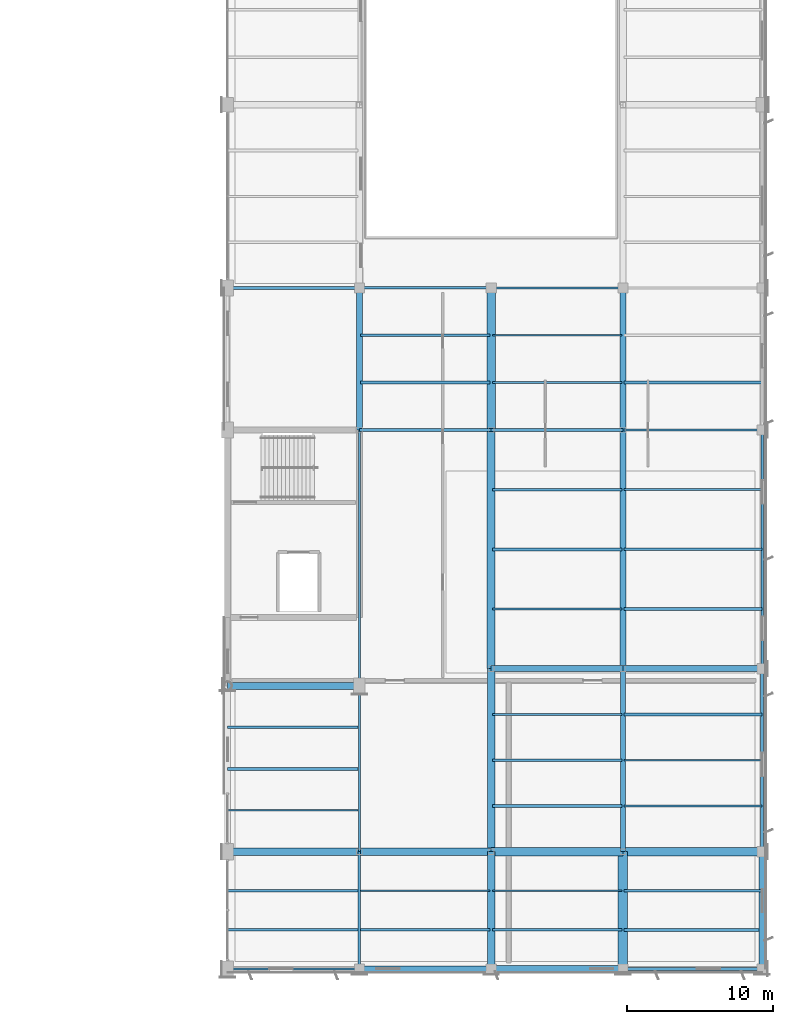
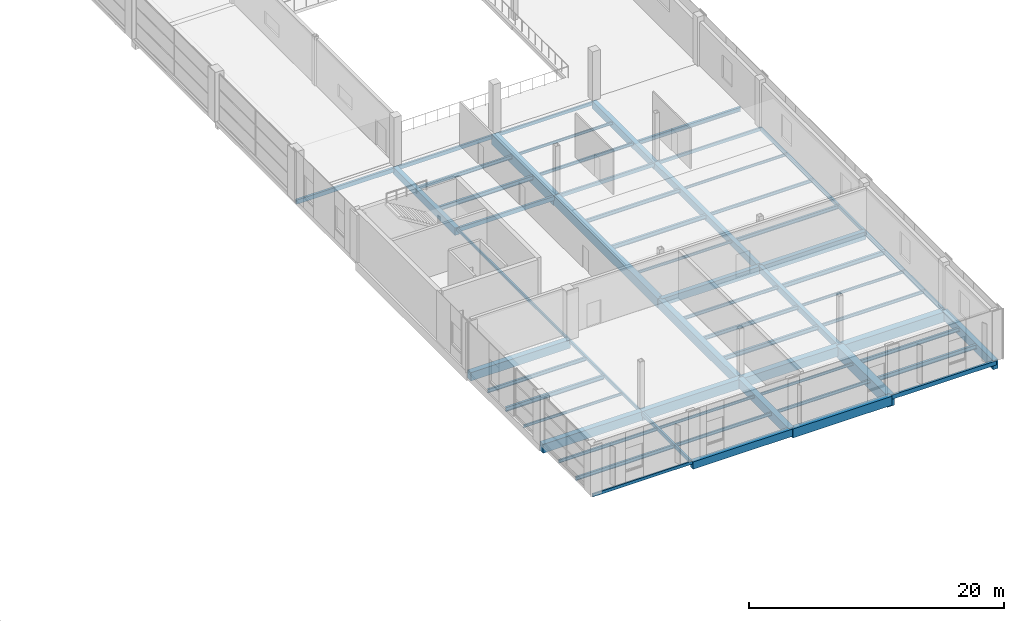
# One storey, part 63 of 112: 60 beams.
"""IFC4 building model written with IfcOpenShell, lengths in metres."""

import ifcopenshell
import ifcopenshell.guid

model = None  # the IFC model being written
_history = None  # IfcOwnerHistory: only IFC2X3 demands one
_inside = {}  # id of a spatial element -> (the spatial element, [elements in it])
_under = {}  # id of a project, library or spatial element -> (it, [spatial elements below it])
_declared = {}  # id of a project -> (the project, [libraries it declares])
_typed = {}  # id of a type object -> (the type object, [elements of that type])
_made_of = {}  # id of a material, layer set ... -> (it, [elements and type objects made of it])


def new_model(schema):
    """Start an empty IFC model of exactly this schema.

    Asked for "IFC4X3", IfcOpenShell would pick the latest addendum, in which some entities
    have other attributes; the version numbers below select the first issue.
    IFC2X3 requires an IfcOwnerHistory on every rooted entity: one is made here for all.
    """
    global model, _history
    if schema == "IFC4X3":
        model = ifcopenshell.file(schema_version=(4, 3, 0, 0))
    else:
        model = ifcopenshell.file(schema=schema)
    _inside.clear()
    _under.clear()
    _declared.clear()
    _typed.clear()
    _made_of.clear()
    _history = None
    if model.schema == "IFC2X3":
        org = make("IfcOrganization", Name="unknown")
        user = make(
            "IfcPersonAndOrganization",
            ThePerson=make("IfcPerson", FamilyName="unknown"),
            TheOrganization=org,
        )
        app = make(
            "IfcApplication",
            ApplicationDeveloper=org,
            Version="unknown",
            ApplicationFullName="unknown",
            ApplicationIdentifier="unknown",
        )
        _history = make(
            "IfcOwnerHistory",
            OwningUser=user,
            OwningApplication=app,
            ChangeAction="ADDED",
            CreationDate=0,
        )
    return model


def make(cls, **values):
    """One entity of the class cls with the attributes given. An attribute that is None is left unset."""
    return model.create_entity(
        cls, **{name: value for name, value in values.items() if value is not None}
    )


def rooted(cls, **values):
    """An entity with a GlobalId (a new one), such as an element, a storey or a relation."""
    return make(cls, GlobalId=ifcopenshell.guid.new(), OwnerHistory=_history, **values)


def si_unit(unit_type, name, prefix=None):
    """IfcSIUnit, for example si_unit("LENGTHUNIT", "METRE", prefix="MILLI")."""
    return make("IfcSIUnit", UnitType=unit_type, Prefix=prefix, Name=name)


def assignment(units):
    """IfcUnitAssignment: the units of a project."""
    return None if units is None else make("IfcUnitAssignment", Units=units)


def point(xyz):
    """IfcCartesianPoint."""
    return None if xyz is None else make("IfcCartesianPoint", Coordinates=xyz)


def direction(xyz):
    """IfcDirection."""
    return None if xyz is None else make("IfcDirection", DirectionRatios=xyz)


def frame(location, z_axis=None, x_axis=None):
    """IfcAxis2Placement3D, a coordinate frame: its origin and axes. An axis left out is left unset."""
    return make(
        "IfcAxis2Placement3D",
        Location=point(location),
        Axis=direction(z_axis),
        RefDirection=direction(x_axis),
    )


def frame_2d(location, x_axis=None):
    """IfcAxis2Placement2D, a coordinate frame in the plane: its origin and x axis."""
    return make(
        "IfcAxis2Placement2D", Location=point(location), RefDirection=direction(x_axis)
    )


def origin():
    """The frame at (0, 0, 0) with its axes left unset."""
    return frame((0.0, 0.0, 0.0))


def origin_2d():
    """The frame at (0, 0) in the plane with its x axis left unset."""
    return frame_2d((0.0, 0.0))


def place(relative_to, where):
    """IfcLocalPlacement: puts the frame where relative to a parent placement (None: the world)."""
    return make(
        "IfcLocalPlacement", PlacementRelTo=relative_to, RelativePlacement=where
    )


def context(
    kind, dimensions, precision=None, world=None, true_north=None, identifier=None
):
    """IfcGeometricRepresentationContext, for example the 3D "Model" context."""
    return make(
        "IfcGeometricRepresentationContext",
        ContextIdentifier=identifier,
        ContextType=kind,
        CoordinateSpaceDimension=dimensions,
        Precision=precision,
        WorldCoordinateSystem=world,
        TrueNorth=true_north,
    )


def subcontext(parent, identifier, kind, view, scale=None):
    """IfcGeometricRepresentationSubContext, for example "Body" below "Model"."""
    return make(
        "IfcGeometricRepresentationSubContext",
        ContextIdentifier=identifier,
        ContextType=kind,
        ParentContext=parent,
        TargetScale=scale,
        TargetView=view,
    )


def project(units=None, contexts=None):
    """IfcProject with its units and contexts."""
    return rooted(
        "IfcProject",
        Name="project",
        RepresentationContexts=contexts,
        UnitsInContext=assignment(units),
    )


def spatial(cls, under=None, at=None, **own):
    """A site, building, storey or space (cls), placed at a placement, below another one or the project."""
    s = rooted(cls, ObjectPlacement=at, **own)
    if under is not None:
        _under.setdefault(under.id(), (under, []))[1].append(s)
    return s


def profile(cls, at=None, kind="AREA", **sizes):
    """A parametric profile (cls). Its sizes go by their IFC names, for example OverallWidth=200.0."""
    return make(cls, ProfileType=kind, Position=at, **sizes)


def rectangle(**sizes):
    """IfcRectangleProfileDef."""
    return profile("IfcRectangleProfileDef", **sizes)


def hollow_rectangle(**sizes):
    """IfcRectangleHollowProfileDef."""
    return profile("IfcRectangleHollowProfileDef", **sizes)


def i_section(**sizes):
    """IfcIShapeProfileDef."""
    return profile("IfcIShapeProfileDef", **sizes)


def extrude(swept, where, along, depth):
    """IfcExtrudedAreaSolid: the profile swept, set in the frame where, extruded along a direction by depth."""
    return make(
        "IfcExtrudedAreaSolid",
        SweptArea=swept,
        Position=where,
        ExtrudedDirection=direction(along),
        Depth=depth,
    )


def shape(context_of_items, identifier, shape_type, items):
    """IfcShapeRepresentation: the items that make up one representation, for example the "Body"."""
    return make(
        "IfcShapeRepresentation",
        ContextOfItems=context_of_items,
        RepresentationIdentifier=identifier,
        RepresentationType=shape_type,
        Items=items,
    )


def material(Name=None, Category=None):
    """IfcMaterial."""
    return make("IfcMaterial", Name=Name, Category=Category)


def material_profile(
    of_material, cross_section, Name=None, Category=None, Priority=None
):
    """IfcMaterialProfile: a cross section and its material."""
    return make(
        "IfcMaterialProfile",
        Name=Name,
        Material=of_material,
        Profile=cross_section,
        Priority=Priority,
        Category=Category,
    )


def profile_set(profiles, Name=None, composite=None):
    """IfcMaterialProfileSet."""
    return make(
        "IfcMaterialProfileSet",
        Name=Name,
        MaterialProfiles=profiles,
        CompositeProfile=composite,
    )


def made_of(thing, what):
    """Note that an element or type object is made of a material, layer set ...; save() writes the relation."""
    if what is not None:
        _made_of.setdefault(what.id(), (what, []))[1].append(thing)
    return thing


def type_object(cls, material=None, **own):
    """A type object (cls), such as IfcWallType, which elements share."""
    return made_of(rooted(cls, **own), material)


def element(
    cls,
    number,
    at=None,
    inside=None,
    cuts=None,
    type_object=None,
    material=None,
    context=None,
    identifier="Body",
    shape_type=None,
    held_by="IfcProductDefinitionShape",
    body=None,
    shapes=None,
    **own,
):
    """One element of the class cls, such as IfcWall. Its Tag is "e" and its number.

    at: its placement. inside: the storey or other place that contains it. cuts: it is an
    opening in that element (IfcRelVoidsElement). A single representation is given by context,
    identifier, shape_type and body (its items); several are given by shapes. held_by: the class
    of the entity that holds the representations. save() writes the other relations.
    """
    e = rooted(cls, Tag="e%d" % number, ObjectPlacement=at, **own)
    if body is not None:
        shapes = [shape(context, identifier, shape_type, body)]
    if shapes is not None:
        e.Representation = make(held_by, Representations=shapes)
    if inside is not None:
        _inside.setdefault(inside.id(), (inside, []))[1].append(e)
    if cuts is not None:
        rooted(
            "IfcRelVoidsElement", RelatingBuildingElement=cuts, RelatedOpeningElement=e
        )
    if type_object is not None:
        _typed.setdefault(type_object.id(), (type_object, []))[1].append(e)
    return made_of(e, material)


def aggregate(whole, parts):
    """IfcRelAggregates: a whole, such as a stair, and the parts it consists of."""
    return rooted("IfcRelAggregates", RelatingObject=whole, RelatedObjects=parts)


def save(model, path):
    """Write the relations noted so far, then the file.

    IfcRelAggregates (storeys below a building ...), IfcRelContainedInSpatialStructure (elements
    in a storey), IfcRelDefinesByType, IfcRelAssociatesMaterial and IfcRelDeclares: one each for
    every whole, place, type object, material and project.
    """
    for whole, parts in _under.values():
        aggregate(whole, parts)
    for where, things in _inside.values():
        rooted(
            "IfcRelContainedInSpatialStructure",
            RelatedElements=things,
            RelatingStructure=where,
        )
    for kind, things in _typed.values():
        rooted("IfcRelDefinesByType", RelatedObjects=things, RelatingType=kind)
    for what, things in _made_of.values():
        rooted("IfcRelAssociatesMaterial", RelatedObjects=things, RelatingMaterial=what)
    for by, libraries in _declared.values():
        rooted("IfcRelDeclares", RelatingContext=by, RelatedDefinitions=libraries)
    model.write(path)


model = new_model("IFC4")

# Units and contexts
model_context = context("Model", 3, precision=1e-05, world=origin(), true_north=direction((0.0, 1.0)))
body_context = subcontext(model_context, "Body", "Model", "MODEL_VIEW")
ifc_project = project(units=[si_unit("LENGTHUNIT", "METRE"), si_unit("AREAUNIT", "SQUARE_METRE"), si_unit("VOLUMEUNIT", "CUBIC_METRE"), si_unit("PLANEANGLEUNIT", "RADIAN"), si_unit("MASSUNIT", "GRAM", prefix="KILO")], contexts=[model_context])

# Site, building, storey
site_placement = place(None, origin())
site = spatial("IfcSite", under=ifc_project, at=site_placement, CompositionType="ELEMENT")
building_placement = place(site_placement, origin())
building = spatial("IfcBuilding", under=site, at=building_placement, Name="Solvikara Media Centre", CompositionType="ELEMENT")
storey_placement = place(building_placement, frame((0.0, 0.0, 5.39990234375)))
storey = spatial("IfcBuildingStorey", under=building, at=storey_placement, Name="L01", CompositionType="ELEMENT", Elevation=5.39990234375)

# Beams
ifc_material_1 = material(Name="Concrete fc' 35 MPa (C35/45)", Category="concrete")
ifc_material_profile_1 = material_profile(ifc_material_1, rectangle(XDim=0.35009765625, YDim=0.60009765625, at=origin_2d()), Name="RC 350x600")
ifc_profile_set_1 = profile_set([ifc_material_profile_1], Name="Concrete fc' 35 MPa (C35/45)")
beam_type_1 = type_object("IfcBeamType", Name="BM-01", PredefinedType="BEAM", material=ifc_profile_set_1)
beam_1_placement = place(storey_placement, frame((154.5, 8.0, -0.539794921875), z_axis=(0.0, 1.0, 0.0), x_axis=(-1.0, 0.0, 0.0)))
element("IfcBeam", 1, at=beam_1_placement, inside=storey, type_object=beam_type_1, Name="B-L01-Y0625", PredefinedType="BEAM", context=body_context, shape_type="SweptSolid", body=[
    extrude(rectangle(XDim=0.35009765625, YDim=0.60009765625, at=origin_2d()), origin(), (0.0, 0.0, 1.0), 12.5),
])
ifc_material_profile_2 = material_profile(ifc_material_1, rectangle(XDim=0.39990234375, YDim=0.64990234375, at=origin_2d()), Name="RC 400x650")
ifc_profile_set_2 = profile_set([ifc_material_profile_2], Name="Concrete fc' 35 MPa (C35/45)")
beam_type_2 = type_object("IfcBeamType", Name="BM-02", PredefinedType="BEAM", material=ifc_profile_set_2)
beam_2_placement = place(storey_placement, frame((154.5, 20.5, -0.56494140625), z_axis=(0.0, 1.0, 0.0), x_axis=(-1.0, 0.0, 0.0)))
element("IfcBeam", 2, at=beam_2_placement, inside=storey, type_object=beam_type_2, Name="B-L01-Y0626", PredefinedType="BEAM", context=body_context, shape_type="SweptSolid", body=[
    extrude(rectangle(XDim=0.39990234375, YDim=0.64990234375, at=origin_2d()), origin(), (0.0, 0.0, 1.0), 16.300048828125),
])
ifc_material_profile_3 = material_profile(ifc_material_1, rectangle(XDim=0.39990234375, YDim=0.699951171875, at=origin_2d()), Name="RC 400x700")
ifc_profile_set_3 = profile_set([ifc_material_profile_3], Name="Concrete fc' 35 MPa (C35/45)")
beam_type_3 = type_object("IfcBeamType", Name="BM-03", PredefinedType="BEAM", material=ifc_profile_set_3)
beam_3_placement = place(storey_placement, frame((145.5, 20.5, -0.58984375), z_axis=(1.0, 0.0, 0.0), x_axis=(0.0, 1.0, 0.0)))
element("IfcBeam", 3, at=beam_3_placement, inside=storey, type_object=beam_type_3, Name="B-L01-X0471", PredefinedType="BEAM", context=body_context, shape_type="SweptSolid", body=[
    extrude(rectangle(XDim=0.39990234375, YDim=0.699951171875, at=origin_2d()), origin(), (0.0, 0.0, 1.0), 9.0),
])
beam_4_placement = place(storey_placement, frame((154.5, 36.800048828125, -0.58984375), z_axis=(0.0, 1.0, 0.0), x_axis=(-1.0, 0.0, 0.0)))
element("IfcBeam", 4, at=beam_4_placement, inside=storey, type_object=beam_type_3, Name="B-L01-Y0627", PredefinedType="BEAM", context=body_context, shape_type="SweptSolid", body=[
    extrude(rectangle(XDim=0.39990234375, YDim=0.699951171875, at=origin_2d()), origin(), (0.0, 0.0, 1.0), 9.699951171875),
])
ifc_material_profile_4 = material_profile(ifc_material_1, rectangle(XDim=0.39990234375, YDim=0.75, at=origin_2d()), Name="RC 400x750")
ifc_profile_set_4 = profile_set([ifc_material_profile_4], Name="Concrete fc' 35 MPa (C35/45)")
beam_type_4 = type_object("IfcBeamType", Name="BM-04", PredefinedType="BEAM", material=ifc_profile_set_4)
beam_5_placement = place(storey_placement, frame((154.5, 20.5, -0.614990234375), z_axis=(1.0, 0.0, 0.0), x_axis=(0.0, 1.0, 0.0)))
element("IfcBeam", 5, at=beam_5_placement, inside=storey, type_object=beam_type_4, Name="B-L01-X0472", PredefinedType="BEAM", context=body_context, shape_type="SweptSolid", body=[
    extrude(rectangle(XDim=0.39990234375, YDim=0.75, at=origin_2d()), origin(), (0.0, 0.0, 1.0), 9.5),
])
ifc_material_profile_5 = material_profile(ifc_material_1, rectangle(XDim=0.5, YDim=0.800048828125, at=origin_2d()), Name="RC 500x800")
ifc_profile_set_5 = profile_set([ifc_material_profile_5], Name="Concrete fc' 35 MPa (C35/45)")
beam_type_5 = type_object("IfcBeamType", Name="BM-07", PredefinedType="BEAM", material=ifc_profile_set_5)
beam_6_placement = place(storey_placement, frame((127.5, 19.320068359375, -0.639892578125), z_axis=(1.0, 0.0, 0.0), x_axis=(0.0, 1.0, 0.0)))
element("IfcBeam", 6, at=beam_6_placement, inside=storey, type_object=beam_type_5, Name="B-L01-X0463", PredefinedType="BEAM", context=body_context, shape_type="SweptSolid", body=[
    extrude(rectangle(XDim=0.5, YDim=0.800048828125, at=origin_2d()), origin(), (0.0, 0.0, 1.0), 9.0),
])
ifc_material_profile_6 = material_profile(ifc_material_1, rectangle(XDim=0.5, YDim=0.85009765625, at=origin_2d()), Name="RC 500x850")
ifc_profile_set_6 = profile_set([ifc_material_profile_6], Name="Concrete fc' 35 MPa (C35/45)")
beam_type_6 = type_object("IfcBeamType", Name="BM-08", PredefinedType="BEAM", material=ifc_profile_set_6)
beam_7_placement = place(storey_placement, frame((127.5, 8.0, -0.664794921875), z_axis=(1.0, 0.0, 0.0), x_axis=(0.0, 1.0, 0.0)))
element("IfcBeam", 7, at=beam_7_placement, inside=storey, type_object=beam_type_6, Name="B-L01-X0452", PredefinedType="BEAM", context=body_context, shape_type="SweptSolid", body=[
    extrude(rectangle(XDim=0.5, YDim=0.85009765625, at=origin_2d()), origin(), (0.0, 0.0, 1.0), 9.0),
])
beam_8_placement = place(storey_placement, frame((145.5, 0.0, -0.664794921875), z_axis=(0.0, 1.0, 0.0), x_axis=(-1.0, 0.0, 0.0)))
element("IfcBeam", 8, at=beam_8_placement, inside=storey, type_object=beam_type_6, Name="B-L01-Y0620", PredefinedType="BEAM", context=body_context, shape_type="SweptSolid", body=[
    extrude(rectangle(XDim=0.5, YDim=0.85009765625, at=origin_2d()), origin(), (0.0, 0.0, 1.0), 8.0),
])
ifc_material_2 = material(Name="Concrete fc' 45 MPa (C45/55)", Category="concrete")
ifc_material_profile_7 = material_profile(ifc_material_2, rectangle(XDim=0.5, YDim=0.89990234375, at=origin_2d()), Name="RC 500x900")
ifc_profile_set_7 = profile_set([ifc_material_profile_7], Name="Concrete fc' 45 MPa (C45/55)")
beam_type_7 = type_object("IfcBeamType", Name="BM-09", PredefinedType="BEAM", material=ifc_profile_set_7)
beam_9_placement = place(storey_placement, frame((136.5, 8.0, -0.68994140625), z_axis=(1.0, 0.0, 0.0), x_axis=(0.0, 1.0, 0.0)))
element("IfcBeam", 9, at=beam_9_placement, inside=storey, type_object=beam_type_7, Name="B-L01-X0453", PredefinedType="BEAM", context=body_context, shape_type="SweptSolid", body=[
    extrude(rectangle(XDim=0.5, YDim=0.89990234375, at=origin_2d()), origin(), (0.0, 0.0, 1.0), 9.0),
])
beam_10_placement = place(storey_placement, frame((145.5, 8.0, -0.68994140625), z_axis=(0.0, 1.0, 0.0), x_axis=(-1.0, 0.0, 0.0)))
element("IfcBeam", 10, at=beam_10_placement, inside=storey, type_object=beam_type_7, Name="B-L01-Y0621", PredefinedType="BEAM", context=body_context, shape_type="SweptSolid", body=[
    extrude(rectangle(XDim=0.5, YDim=0.89990234375, at=origin_2d()), origin(), (0.0, 0.0, 1.0), 12.5),
])
ifc_material_profile_8 = material_profile(ifc_material_2, rectangle(XDim=0.550048828125, YDim=0.89990234375, at=origin_2d()), Name="RC 550x900")
ifc_profile_set_8 = profile_set([ifc_material_profile_8], Name="Concrete fc' 45 MPa (C45/55)")
beam_type_8 = type_object("IfcBeamType", Name="BM-10", PredefinedType="BEAM", material=ifc_profile_set_8)
beam_11_placement = place(storey_placement, frame((145.5, 8.0, -0.68994140625), z_axis=(1.0, 0.0, 0.0), x_axis=(0.0, 1.0, 0.0)))
element("IfcBeam", 11, at=beam_11_placement, inside=storey, type_object=beam_type_8, Name="B-L01-X0454", PredefinedType="BEAM", context=body_context, shape_type="SweptSolid", body=[
    extrude(rectangle(XDim=0.550048828125, YDim=0.89990234375, at=origin_2d()), origin(), (0.0, 0.0, 1.0), 9.0),
])
beam_12_placement = place(storey_placement, frame((145.5, 20.5, -0.68994140625), z_axis=(0.0, 1.0, 0.0), x_axis=(-1.0, 0.0, 0.0)))
element("IfcBeam", 12, at=beam_12_placement, inside=storey, type_object=beam_type_8, Name="B-L01-Y0622", PredefinedType="BEAM", context=body_context, shape_type="SweptSolid", body=[
    extrude(rectangle(XDim=0.550048828125, YDim=0.89990234375, at=origin_2d()), origin(), (0.0, 0.0, 1.0), 16.300048828125),
])
ifc_material_profile_9 = material_profile(ifc_material_2, rectangle(XDim=0.60009765625, YDim=0.949951171875, at=origin_2d()), Name="RC 600x950")
ifc_profile_set_9 = profile_set([ifc_material_profile_9], Name="Concrete fc' 45 MPa (C45/55)")
beam_type_9 = type_object("IfcBeamType", Name="BM-11", PredefinedType="BEAM", material=ifc_profile_set_9)
beam_13_placement = place(storey_placement, frame((154.5, 8.0, -0.71484375), z_axis=(1.0, 0.0, 0.0), x_axis=(0.0, 1.0, 0.0)))
element("IfcBeam", 13, at=beam_13_placement, inside=storey, type_object=beam_type_9, Name="B-L01-X0455", PredefinedType="BEAM", context=body_context, shape_type="SweptSolid", body=[
    extrude(rectangle(XDim=0.60009765625, YDim=0.949951171875, at=origin_2d()), origin(), (0.0, 0.0, 1.0), 9.5),
])
beam_14_placement = place(storey_placement, frame((145.5, 36.800048828125, -0.71484375), z_axis=(0.0, 1.0, 0.0), x_axis=(-1.0, 0.0, 0.0)))
element("IfcBeam", 14, at=beam_14_placement, inside=storey, type_object=beam_type_9, Name="B-L01-Y0623", PredefinedType="BEAM", context=body_context, shape_type="SweptSolid", body=[
    extrude(rectangle(XDim=0.60009765625, YDim=0.949951171875, at=origin_2d()), origin(), (0.0, 0.0, 1.0), 9.699951171875),
])
ifc_material_profile_10 = material_profile(ifc_material_2, rectangle(XDim=0.64990234375, YDim=1.10009765625, at=origin_2d()), Name="RC 650x1100")
ifc_profile_set_10 = profile_set([ifc_material_profile_10], Name="Concrete fc' 45 MPa (C45/55)")
beam_type_10 = type_object("IfcBeamType", Name="BM-12", PredefinedType="BEAM", material=ifc_profile_set_10)
beam_15_placement = place(storey_placement, frame((154.5, 0.0, -0.789794921875), z_axis=(0.0, 1.0, 0.0), x_axis=(-1.0, 0.0, 0.0)))
element("IfcBeam", 15, at=beam_15_placement, inside=storey, type_object=beam_type_10, Name="B-L01-Y0624", PredefinedType="BEAM", context=body_context, shape_type="SweptSolid", body=[
    extrude(rectangle(XDim=0.64990234375, YDim=1.10009765625, at=origin_2d()), origin(), (0.0, 0.0, 1.0), 8.0),
])
ifc_material_profile_11 = material_profile(ifc_material_1, rectangle(XDim=0.39990234375, YDim=0.699951171875, at=origin_2d()), Name="RC 400x700")
ifc_profile_set_11 = profile_set([ifc_material_profile_11], Name="Concrete fc' 35 MPa (C35/45)")
beam_type_11 = type_object("IfcBeamType", Name="BM-13", PredefinedType="SPANDREL", material=ifc_profile_set_11)
beam_16_placement = place(storey_placement, frame((136.5, 0.0, -0.58984375), z_axis=(1.0, 0.0, 0.0), x_axis=(0.0, 1.0, 0.0)))
element("IfcBeam", 16, at=beam_16_placement, inside=storey, type_object=beam_type_11, Name="B-L01-X0449", PredefinedType="SPANDREL", context=body_context, shape_type="SweptSolid", body=[
    extrude(rectangle(XDim=0.39990234375, YDim=0.699951171875, at=origin_2d()), origin(), (0.0, 0.0, 1.0), 9.0),
])
beam_17_placement = place(storey_placement, frame((136.5, 36.800048828125, -0.58984375), z_axis=(0.0, 1.0, 0.0), x_axis=(-1.0, 0.0, 0.0)))
element("IfcBeam", 17, at=beam_17_placement, inside=storey, type_object=beam_type_11, Name="B-L01-Y0613", PredefinedType="SPANDREL", context=body_context, shape_type="SweptSolid", body=[
    extrude(rectangle(XDim=0.39990234375, YDim=0.699951171875, at=origin_2d()), origin(), (0.0, 0.0, 1.0), 9.699951171875),
])
ifc_material_profile_12 = material_profile(ifc_material_1, rectangle(XDim=0.449951171875, YDim=0.85009765625, at=origin_2d()), Name="RC 450x850")
ifc_profile_set_12 = profile_set([ifc_material_profile_12], Name="Concrete fc' 35 MPa (C35/45)")
beam_type_12 = type_object("IfcBeamType", Name="BM-14", PredefinedType="SPANDREL", material=ifc_profile_set_12)
beam_18_placement = place(storey_placement, frame((145.5, 0.0, -0.664794921875), z_axis=(1.0, 0.0, 0.0), x_axis=(0.0, 1.0, 0.0)))
element("IfcBeam", 18, at=beam_18_placement, inside=storey, type_object=beam_type_12, Name="B-L01-X0450", PredefinedType="SPANDREL", context=body_context, shape_type="SweptSolid", body=[
    extrude(rectangle(XDim=0.449951171875, YDim=0.85009765625, at=origin_2d()), origin(), (0.0, 0.0, 1.0), 9.0),
])
beam_19_placement = place(storey_placement, frame((164.0, 0.0, -0.664794921875), z_axis=(0.0, 1.0, 0.0), x_axis=(-1.0, 0.0, 0.0)))
element("IfcBeam", 19, at=beam_19_placement, inside=storey, type_object=beam_type_12, Name="B-L01-Y0634", PredefinedType="SPANDREL", context=body_context, shape_type="SweptSolid", body=[
    extrude(rectangle(XDim=0.449951171875, YDim=0.85009765625, at=origin_2d()), origin(), (0.0, 0.0, 1.0), 8.0),
])
ifc_material_3 = material(Name="Steel S355JR", Category="steel")
ifc_material_profile_13 = material_profile(ifc_material_3, i_section(OverallWidth=0.199951171875, OverallDepth=0.39990234375, WebThickness=0.008056640625, FlangeThickness=0.012939453125, at=origin_2d()), Name="WF 400x200x8x13")
ifc_profile_set_13 = profile_set([ifc_material_profile_13], Name="Steel S355JR")
beam_type_13 = type_object("IfcBeamType", Name="BM-21", PredefinedType="JOIST", material=ifc_profile_set_13)
beam_20_placement = place(storey_placement, frame((127.5, 13.662109375, -0.44189453125), z_axis=(1.0, 0.0, 0.0), x_axis=(0.0, 1.0, 0.0)))
element("IfcBeam", 20, at=beam_20_placement, inside=storey, type_object=beam_type_13, Name="J-L01-0761", PredefinedType="JOIST", context=body_context, shape_type="SweptSolid", body=[
    extrude(i_section(OverallWidth=0.199951171875, OverallDepth=0.39990234375, WebThickness=0.008056640625, FlangeThickness=0.012939453125, at=origin_2d()), origin(), (0.0, 0.0, 1.0), 8.922119140625),
])
beam_21_placement = place(storey_placement, frame((145.577880859375, 11.125, -0.44189453125), z_axis=(1.0, 0.0, 0.0), x_axis=(0.0, 1.0, 0.0)))
element("IfcBeam", 21, at=beam_21_placement, inside=storey, type_object=beam_type_13, Name="J-L01-0785", PredefinedType="JOIST", context=body_context, shape_type="SweptSolid", body=[
    extrude(i_section(OverallWidth=0.199951171875, OverallDepth=0.39990234375, WebThickness=0.008056640625, FlangeThickness=0.012939453125, at=origin_2d()), origin(), (0.0, 0.0, 1.0), 8.84423828125),
])
for number, where, z_axis, x_axis, name in (
    (22, (154.577880859375, 2.6669921875, -0.44189453125), (1.0, 0.0, 0.0), (0.0, 1.0, 0.0), "J-L01-0793"),
    (23, (154.577880859375, 40.032958984375, -0.44189453125), (1.0, 0.0, 0.0), (0.0, 1.0, 0.0), "J-L01-0801"),
):
    element("IfcBeam", number, at=place(storey_placement, frame(where, z_axis=z_axis, x_axis=x_axis)), inside=storey, type_object=beam_type_13, Name=name, PredefinedType="JOIST", context=body_context, shape_type="SweptSolid", body=[
        extrude(i_section(OverallWidth=0.199951171875, OverallDepth=0.39990234375, WebThickness=0.008056640625, FlangeThickness=0.012939453125, at=origin_2d()), origin(), (0.0, 0.0, 1.0), 9.422119140625),
    ])
ifc_material_profile_14 = material_profile(ifc_material_3, i_section(OverallWidth=0.175048828125, OverallDepth=0.35009765625, WebThickness=0.007080078125, FlangeThickness=0.010986328125, at=origin_2d()), Name="WF 350x175x7x11")
ifc_profile_set_14 = profile_set([ifc_material_profile_14], Name="Steel S355JR")
beam_type_14 = type_object("IfcBeamType", Name="BM-22", PredefinedType="JOIST", material=ifc_profile_set_14)
beam_22_placement = place(storey_placement, frame((127.5, 16.492919921875, -0.4169921875), z_axis=(1.0, 0.0, 0.0), x_axis=(0.0, 1.0, 0.0)))
element("IfcBeam", 24, at=beam_22_placement, inside=storey, type_object=beam_type_14, Name="J-L01-0762", PredefinedType="JOIST", context=body_context, shape_type="SweptSolid", body=[
    extrude(i_section(OverallWidth=0.175048828125, OverallDepth=0.35009765625, WebThickness=0.007080078125, FlangeThickness=0.010986328125, at=origin_2d()), origin(), (0.0, 0.0, 1.0), 8.922119140625),
])
beam_23_placement = place(storey_placement, frame((145.577880859375, 14.25, -0.4169921875), z_axis=(1.0, 0.0, 0.0), x_axis=(0.0, 1.0, 0.0)))
element("IfcBeam", 25, at=beam_23_placement, inside=storey, type_object=beam_type_14, Name="J-L01-0786", PredefinedType="JOIST", context=body_context, shape_type="SweptSolid", body=[
    extrude(i_section(OverallWidth=0.175048828125, OverallDepth=0.35009765625, WebThickness=0.007080078125, FlangeThickness=0.010986328125, at=origin_2d()), origin(), (0.0, 0.0, 1.0), 8.84423828125),
])
beam_24_placement = place(storey_placement, frame((154.577880859375, 5.3330078125, -0.4169921875), z_axis=(1.0, 0.0, 0.0), x_axis=(0.0, 1.0, 0.0)))
element("IfcBeam", 26, at=beam_24_placement, inside=storey, type_object=beam_type_14, Name="J-L01-0794", PredefinedType="JOIST", context=body_context, shape_type="SweptSolid", body=[
    extrude(i_section(OverallWidth=0.175048828125, OverallDepth=0.35009765625, WebThickness=0.007080078125, FlangeThickness=0.010986328125, at=origin_2d()), origin(), (0.0, 0.0, 1.0), 9.422119140625),
])
ifc_material_profile_15 = material_profile(ifc_material_3, i_section(OverallWidth=0.14990234375, OverallDepth=0.300048828125, WebThickness=0.006591796875, FlangeThickness=0.009033203125, at=origin_2d()), Name="WF 300x150x6.5x9")
ifc_profile_set_15 = profile_set([ifc_material_profile_15], Name="Steel S355JR")
beam_type_15 = type_object("IfcBeamType", Name="BM-23", PredefinedType="JOIST", material=ifc_profile_set_15)
for number, where, z_axis, x_axis, name in (
    (27, (136.577880859375, 2.6669921875, -0.391845703125), (1.0, 0.0, 0.0), (0.0, 1.0, 0.0), "J-L01-0779"),
    (28, (145.577880859375, 17.375, -0.391845703125), (1.0, 0.0, 0.0), (0.0, 1.0, 0.0), "J-L01-0787"),
):
    element("IfcBeam", number, at=place(storey_placement, frame(where, z_axis=z_axis, x_axis=x_axis)), inside=storey, type_object=beam_type_15, Name=name, PredefinedType="JOIST", context=body_context, shape_type="SweptSolid", body=[
        extrude(i_section(OverallWidth=0.14990234375, OverallDepth=0.300048828125, WebThickness=0.006591796875, FlangeThickness=0.009033203125, at=origin_2d()), origin(), (0.0, 0.0, 1.0), 8.84423828125),
    ])
beam_25_placement = place(storey_placement, frame((154.577880859375, 11.125, -0.391845703125), z_axis=(1.0, 0.0, 0.0), x_axis=(0.0, 1.0, 0.0)))
element("IfcBeam", 29, at=beam_25_placement, inside=storey, type_object=beam_type_15, Name="J-L01-0795", PredefinedType="JOIST", context=body_context, shape_type="SweptSolid", body=[
    extrude(i_section(OverallWidth=0.14990234375, OverallDepth=0.300048828125, WebThickness=0.006591796875, FlangeThickness=0.009033203125, at=origin_2d()), origin(), (0.0, 0.0, 1.0), 9.422119140625),
])
ifc_material_profile_16 = material_profile(ifc_material_3, i_section(OverallWidth=0.125, OverallDepth=0.25, WebThickness=0.006103515625, FlangeThickness=0.009033203125, at=origin_2d()), Name="WF 250x125x6x9")
ifc_profile_set_16 = profile_set([ifc_material_profile_16], Name="Steel S355JR")
beam_type_16 = type_object("IfcBeamType", Name="BM-24", PredefinedType="JOIST", material=ifc_profile_set_16)
for number, where, z_axis, x_axis, name in (
    (30, (136.577880859375, 5.3330078125, -0.366943359375), (1.0, 0.0, 0.0), (0.0, 1.0, 0.0), "J-L01-0780"),
    (31, (145.577880859375, 24.574951171875, -0.366943359375), (1.0, 0.0, 0.0), (0.0, 1.0, 0.0), "J-L01-0788"),
):
    element("IfcBeam", number, at=place(storey_placement, frame(where, z_axis=z_axis, x_axis=x_axis)), inside=storey, type_object=beam_type_16, Name=name, PredefinedType="JOIST", context=body_context, shape_type="SweptSolid", body=[
        extrude(i_section(OverallWidth=0.125, OverallDepth=0.25, WebThickness=0.006103515625, FlangeThickness=0.009033203125, at=origin_2d()), origin(), (0.0, 0.0, 1.0), 8.84423828125),
    ])
beam_26_placement = place(storey_placement, frame((154.577880859375, 14.25, -0.366943359375), z_axis=(1.0, 0.0, 0.0), x_axis=(0.0, 1.0, 0.0)))
element("IfcBeam", 32, at=beam_26_placement, inside=storey, type_object=beam_type_16, Name="J-L01-0796", PredefinedType="JOIST", context=body_context, shape_type="SweptSolid", body=[
    extrude(i_section(OverallWidth=0.125, OverallDepth=0.25, WebThickness=0.006103515625, FlangeThickness=0.009033203125, at=origin_2d()), origin(), (0.0, 0.0, 1.0), 9.422119140625),
])
ifc_material_profile_17 = material_profile(ifc_material_3, hollow_rectangle(XDim=0.199951171875, YDim=0.39990234375, WallThickness=0.011962890625, at=origin_2d()), Name="RHS 400x200x12")
ifc_profile_set_17 = profile_set([ifc_material_profile_17], Name="Steel S355JR")
beam_type_17 = type_object("IfcBeamType", Name="BM-33", PredefinedType="SPANDREL", material=ifc_profile_set_17)
beam_27_placement = place(storey_placement, frame((154.5, 0.0, -0.44189453125), z_axis=(1.0, 0.0, 0.0), x_axis=(0.0, 1.0, 0.0)))
element("IfcBeam", 33, at=beam_27_placement, inside=storey, type_object=beam_type_17, Name="B-L01-X0451", PredefinedType="SPANDREL", context=body_context, shape_type="SweptSolid", body=[
    extrude(hollow_rectangle(XDim=0.199951171875, YDim=0.39990234375, WallThickness=0.011962890625, at=origin_2d()), origin(), (0.0, 0.0, 1.0), 9.5),
])
for number, where, z_axis, x_axis, name in (
    (34, (136.5, 36.800048828125, -0.44189453125), (1.0, 0.0, 0.0), (0.0, 1.0, 0.0), "B-L01-X0483"),
    (35, (127.5, 46.5, -0.501953125), (1.0, 0.0, 0.0), (0.0, 1.0, 0.0), "B-L01-X0489"),
):
    element("IfcBeam", number, at=place(storey_placement, frame(where, z_axis=z_axis, x_axis=x_axis)), inside=storey, type_object=beam_type_17, Name=name, PredefinedType="SPANDREL", context=body_context, shape_type="SweptSolid", body=[
        extrude(hollow_rectangle(XDim=0.199951171875, YDim=0.39990234375, WallThickness=0.011962890625, at=origin_2d()), origin(), (0.0, 0.0, 1.0), 9.0),
    ])
beam_28_placement = place(storey_placement, frame((164.0, 8.0, -0.44189453125), z_axis=(0.0, 1.0, 0.0), x_axis=(-1.0, 0.0, 0.0)))
element("IfcBeam", 36, at=beam_28_placement, inside=storey, type_object=beam_type_17, Name="B-L01-Y0635", PredefinedType="SPANDREL", context=body_context, shape_type="SweptSolid", body=[
    extrude(hollow_rectangle(XDim=0.199951171875, YDim=0.39990234375, WallThickness=0.011962890625, at=origin_2d()), origin(), (0.0, 0.0, 1.0), 12.5),
])
ifc_material_profile_18 = material_profile(ifc_material_3, hollow_rectangle(XDim=0.175048828125, YDim=0.35009765625, WallThickness=0.010009765625, at=origin_2d()), Name="RHS 350x175x10")
ifc_profile_set_18 = profile_set([ifc_material_profile_18], Name="Steel S355JR")
beam_type_18 = type_object("IfcBeamType", Name="BM-34", PredefinedType="SPANDREL", material=ifc_profile_set_18)
for number, where, z_axis, x_axis, name in (
    (37, (145.5, 36.800048828125, -0.4169921875), (1.0, 0.0, 0.0), (0.0, 1.0, 0.0), "B-L01-X0484"),
    (38, (136.5, 46.5, -0.476806640625), (1.0, 0.0, 0.0), (0.0, 1.0, 0.0), "B-L01-X0490"),
):
    element("IfcBeam", number, at=place(storey_placement, frame(where, z_axis=z_axis, x_axis=x_axis)), inside=storey, type_object=beam_type_18, Name=name, PredefinedType="SPANDREL", context=body_context, shape_type="SweptSolid", body=[
        extrude(hollow_rectangle(XDim=0.175048828125, YDim=0.35009765625, WallThickness=0.010009765625, at=origin_2d()), origin(), (0.0, 0.0, 1.0), 9.0),
    ])
beam_29_placement = place(storey_placement, frame((136.5, 0.0, -0.4169921875), z_axis=(0.0, 1.0, 0.0), x_axis=(-1.0, 0.0, 0.0)))
element("IfcBeam", 39, at=beam_29_placement, inside=storey, type_object=beam_type_18, Name="B-L01-Y0610", PredefinedType="SPANDREL", context=body_context, shape_type="SweptSolid", body=[
    extrude(hollow_rectangle(XDim=0.175048828125, YDim=0.35009765625, WallThickness=0.010009765625, at=origin_2d()), origin(), (0.0, 0.0, 1.0), 8.0),
])
beam_30_placement = place(storey_placement, frame((164.0, 20.5, -0.4169921875), z_axis=(0.0, 1.0, 0.0), x_axis=(-1.0, 0.0, 0.0)))
element("IfcBeam", 40, at=beam_30_placement, inside=storey, type_object=beam_type_18, Name="B-L01-Y0636", PredefinedType="SPANDREL", context=body_context, shape_type="SweptSolid", body=[
    extrude(hollow_rectangle(XDim=0.175048828125, YDim=0.35009765625, WallThickness=0.010009765625, at=origin_2d()), origin(), (0.0, 0.0, 1.0), 16.300048828125),
])
ifc_material_profile_19 = material_profile(ifc_material_3, hollow_rectangle(XDim=0.14990234375, YDim=0.300048828125, WallThickness=0.010009765625, at=origin_2d()), Name="RHS 300x150x10")
ifc_profile_set_19 = profile_set([ifc_material_profile_19], Name="Steel S355JR")
beam_type_19 = type_object("IfcBeamType", Name="BM-35", PredefinedType="BEAM", material=ifc_profile_set_19)
beam_31_placement = place(storey_placement, frame((154.5, 36.800048828125, -0.391845703125), z_axis=(1.0, 0.0, 0.0), x_axis=(0.0, 1.0, 0.0)))
element("IfcBeam", 41, at=beam_31_placement, inside=storey, type_object=beam_type_19, Name="B-L01-X0485", PredefinedType="BEAM", context=body_context, shape_type="SweptSolid", body=[
    extrude(hollow_rectangle(XDim=0.14990234375, YDim=0.300048828125, WallThickness=0.010009765625, at=origin_2d()), origin(), (0.0, 0.0, 1.0), 9.5),
])
beam_32_placement = place(storey_placement, frame((145.5, 46.5, -0.451904296875), z_axis=(1.0, 0.0, 0.0), x_axis=(0.0, 1.0, 0.0)))
element("IfcBeam", 42, at=beam_32_placement, inside=storey, type_object=beam_type_19, Name="B-L01-X0491", PredefinedType="BEAM", context=body_context, shape_type="SweptSolid", body=[
    extrude(hollow_rectangle(XDim=0.14990234375, YDim=0.300048828125, WallThickness=0.010009765625, at=origin_2d()), origin(), (0.0, 0.0, 1.0), 9.0),
])
beam_33_placement = place(storey_placement, frame((136.5, 8.0, -0.391845703125), z_axis=(0.0, 1.0, 0.0), x_axis=(-1.0, 0.0, 0.0)))
element("IfcBeam", 43, at=beam_33_placement, inside=storey, type_object=beam_type_19, Name="B-L01-Y0611", PredefinedType="BEAM", context=body_context, shape_type="SweptSolid", body=[
    extrude(hollow_rectangle(XDim=0.14990234375, YDim=0.300048828125, WallThickness=0.010009765625, at=origin_2d()), origin(), (0.0, 0.0, 1.0), 11.323974609375),
])
ifc_material_profile_20 = material_profile(ifc_material_3, hollow_rectangle(XDim=0.14990234375, YDim=0.25, WallThickness=0.008056640625, at=origin_2d()), Name="RHS 250x150x8")
ifc_profile_set_20 = profile_set([ifc_material_profile_20], Name="Steel S355JR")
beam_type_20 = type_object("IfcBeamType", Name="BM-36", PredefinedType="JOIST", material=ifc_profile_set_20)
beam_34_placement = place(storey_placement, frame((136.5, 19.323974609375, -0.366943359375), z_axis=(0.0, 1.0, 0.0), x_axis=(-1.0, 0.0, 0.0)))
element("IfcBeam", 44, at=beam_34_placement, inside=storey, type_object=beam_type_20, Name="B-L01-Y0612", PredefinedType="JOIST", context=body_context, shape_type="SweptSolid", body=[
    extrude(hollow_rectangle(XDim=0.14990234375, YDim=0.25, WallThickness=0.008056640625, at=origin_2d()), origin(), (0.0, 0.0, 1.0), 17.47607421875),
])
ifc_material_profile_21 = material_profile(ifc_material_3, i_section(OverallWidth=0.198974609375, OverallDepth=0.39599609375, WebThickness=0.007080078125, FlangeThickness=0.010986328125, at=origin_2d()), Name="WF 396x199x7x11")
ifc_profile_set_21 = profile_set([ifc_material_profile_21], Name="Steel S355JR")
beam_type_21 = type_object("IfcBeamType", Name="BM-37", PredefinedType="JOIST", material=ifc_profile_set_21)
for number, where, z_axis, x_axis, name in (
    (45, (136.577880859375, 40.032958984375, -0.43994140625), (1.0, 0.0, 0.0), (0.0, 1.0, 0.0), "J-L01-0781"),
    (46, (145.577880859375, 28.64990234375, -0.43994140625), (1.0, 0.0, 0.0), (0.0, 1.0, 0.0), "J-L01-0789"),
):
    element("IfcBeam", number, at=place(storey_placement, frame(where, z_axis=z_axis, x_axis=x_axis)), inside=storey, type_object=beam_type_21, Name=name, PredefinedType="JOIST", context=body_context, shape_type="SweptSolid", body=[
        extrude(i_section(OverallWidth=0.198974609375, OverallDepth=0.39599609375, WebThickness=0.007080078125, FlangeThickness=0.010986328125, at=origin_2d()), origin(), (0.0, 0.0, 1.0), 8.84423828125),
    ])
beam_35_placement = place(storey_placement, frame((154.577880859375, 17.375, -0.43994140625), z_axis=(1.0, 0.0, 0.0), x_axis=(0.0, 1.0, 0.0)))
element("IfcBeam", 47, at=beam_35_placement, inside=storey, type_object=beam_type_21, Name="J-L01-0797", PredefinedType="JOIST", context=body_context, shape_type="SweptSolid", body=[
    extrude(i_section(OverallWidth=0.198974609375, OverallDepth=0.39599609375, WebThickness=0.007080078125, FlangeThickness=0.010986328125, at=origin_2d()), origin(), (0.0, 0.0, 1.0), 9.422119140625),
])
ifc_material_profile_22 = material_profile(ifc_material_3, i_section(OverallWidth=0.174072265625, OverallDepth=0.345947265625, WebThickness=0.006103515625, FlangeThickness=0.009033203125, at=origin_2d()), Name="WF 346x174x6x9")
ifc_profile_set_22 = profile_set([ifc_material_profile_22], Name="Steel S355JR")
beam_type_22 = type_object("IfcBeamType", Name="BM-38", PredefinedType="JOIST", material=ifc_profile_set_22)
beam_36_placement = place(storey_placement, frame((127.5, 2.6669921875, -0.414794921875), z_axis=(1.0, 0.0, 0.0), x_axis=(0.0, 1.0, 0.0)))
element("IfcBeam", 48, at=beam_36_placement, inside=storey, type_object=beam_type_22, Name="J-L01-0758", PredefinedType="JOIST", context=body_context, shape_type="SweptSolid", body=[
    extrude(i_section(OverallWidth=0.174072265625, OverallDepth=0.345947265625, WebThickness=0.006103515625, FlangeThickness=0.009033203125, at=origin_2d()), origin(), (0.0, 0.0, 1.0), 8.922119140625),
])
for number, where, z_axis, x_axis, name in (
    (49, (136.577880859375, 43.26708984375, -0.414794921875), (1.0, 0.0, 0.0), (0.0, 1.0, 0.0), "J-L01-0782"),
    (50, (145.577880859375, 32.72509765625, -0.414794921875), (1.0, 0.0, 0.0), (0.0, 1.0, 0.0), "J-L01-0790"),
):
    element("IfcBeam", number, at=place(storey_placement, frame(where, z_axis=z_axis, x_axis=x_axis)), inside=storey, type_object=beam_type_22, Name=name, PredefinedType="JOIST", context=body_context, shape_type="SweptSolid", body=[
        extrude(i_section(OverallWidth=0.174072265625, OverallDepth=0.345947265625, WebThickness=0.006103515625, FlangeThickness=0.009033203125, at=origin_2d()), origin(), (0.0, 0.0, 1.0), 8.84423828125),
    ])
beam_37_placement = place(storey_placement, frame((154.577880859375, 24.574951171875, -0.414794921875), z_axis=(1.0, 0.0, 0.0), x_axis=(0.0, 1.0, 0.0)))
element("IfcBeam", 51, at=beam_37_placement, inside=storey, type_object=beam_type_22, Name="J-L01-0798", PredefinedType="JOIST", context=body_context, shape_type="SweptSolid", body=[
    extrude(i_section(OverallWidth=0.174072265625, OverallDepth=0.345947265625, WebThickness=0.006103515625, FlangeThickness=0.009033203125, at=origin_2d()), origin(), (0.0, 0.0, 1.0), 9.422119140625),
])
ifc_material_profile_23 = material_profile(ifc_material_3, i_section(OverallWidth=0.14892578125, OverallDepth=0.298095703125, WebThickness=0.005615234375, FlangeThickness=0.008056640625, at=origin_2d()), Name="WF 298x149x5.5x8")
ifc_profile_set_23 = profile_set([ifc_material_profile_23], Name="Steel S355JR")
beam_type_23 = type_object("IfcBeamType", Name="BM-39", PredefinedType="JOIST", material=ifc_profile_set_23)
beam_38_placement = place(storey_placement, frame((127.5, 5.3330078125, -0.390869140625), z_axis=(1.0, 0.0, 0.0), x_axis=(0.0, 1.0, 0.0)))
element("IfcBeam", 52, at=beam_38_placement, inside=storey, type_object=beam_type_23, Name="J-L01-0759", PredefinedType="JOIST", context=body_context, shape_type="SweptSolid", body=[
    extrude(i_section(OverallWidth=0.14892578125, OverallDepth=0.298095703125, WebThickness=0.005615234375, FlangeThickness=0.008056640625, at=origin_2d()), origin(), (0.0, 0.0, 1.0), 8.922119140625),
])
for number, where, z_axis, x_axis, name in (
    (53, (145.577880859375, 2.6669921875, -0.390869140625), (1.0, 0.0, 0.0), (0.0, 1.0, 0.0), "J-L01-0783"),
    (54, (145.577880859375, 40.032958984375, -0.390869140625), (1.0, 0.0, 0.0), (0.0, 1.0, 0.0), "J-L01-0791"),
):
    element("IfcBeam", number, at=place(storey_placement, frame(where, z_axis=z_axis, x_axis=x_axis)), inside=storey, type_object=beam_type_23, Name=name, PredefinedType="JOIST", context=body_context, shape_type="SweptSolid", body=[
        extrude(i_section(OverallWidth=0.14892578125, OverallDepth=0.298095703125, WebThickness=0.005615234375, FlangeThickness=0.008056640625, at=origin_2d()), origin(), (0.0, 0.0, 1.0), 8.84423828125),
    ])
beam_39_placement = place(storey_placement, frame((154.577880859375, 28.64990234375, -0.390869140625), z_axis=(1.0, 0.0, 0.0), x_axis=(0.0, 1.0, 0.0)))
element("IfcBeam", 55, at=beam_39_placement, inside=storey, type_object=beam_type_23, Name="J-L01-0799", PredefinedType="JOIST", context=body_context, shape_type="SweptSolid", body=[
    extrude(i_section(OverallWidth=0.14892578125, OverallDepth=0.298095703125, WebThickness=0.005615234375, FlangeThickness=0.008056640625, at=origin_2d()), origin(), (0.0, 0.0, 1.0), 9.422119140625),
])
ifc_material_profile_24 = material_profile(ifc_material_3, i_section(OverallWidth=0.1240234375, OverallDepth=0.248046875, WebThickness=0.0048828125, FlangeThickness=0.008056640625, at=origin_2d()), Name="WF 248x124x5x8")
ifc_profile_set_24 = profile_set([ifc_material_profile_24], Name="Steel S355JR")
beam_type_24 = type_object("IfcBeamType", Name="BM-40", PredefinedType="JOIST", material=ifc_profile_set_24)
beam_40_placement = place(storey_placement, frame((127.5, 10.8310546875, -0.365966796875), z_axis=(1.0, 0.0, 0.0), x_axis=(0.0, 1.0, 0.0)))
element("IfcBeam", 56, at=beam_40_placement, inside=storey, type_object=beam_type_24, Name="J-L01-0760", PredefinedType="JOIST", context=body_context, shape_type="SweptSolid", body=[
    extrude(i_section(OverallWidth=0.1240234375, OverallDepth=0.248046875, WebThickness=0.0048828125, FlangeThickness=0.008056640625, at=origin_2d()), origin(), (0.0, 0.0, 1.0), 8.922119140625),
])
for number, where, z_axis, x_axis, name in (
    (57, (145.577880859375, 5.3330078125, -0.365966796875), (1.0, 0.0, 0.0), (0.0, 1.0, 0.0), "J-L01-0784"),
    (58, (145.577880859375, 43.26708984375, -0.365966796875), (1.0, 0.0, 0.0), (0.0, 1.0, 0.0), "J-L01-0792"),
):
    element("IfcBeam", number, at=place(storey_placement, frame(where, z_axis=z_axis, x_axis=x_axis)), inside=storey, type_object=beam_type_24, Name=name, PredefinedType="JOIST", context=body_context, shape_type="SweptSolid", body=[
        extrude(i_section(OverallWidth=0.1240234375, OverallDepth=0.248046875, WebThickness=0.0048828125, FlangeThickness=0.008056640625, at=origin_2d()), origin(), (0.0, 0.0, 1.0), 8.84423828125),
    ])
beam_41_placement = place(storey_placement, frame((154.577880859375, 32.72509765625, -0.365966796875), z_axis=(1.0, 0.0, 0.0), x_axis=(0.0, 1.0, 0.0)))
element("IfcBeam", 59, at=beam_41_placement, inside=storey, type_object=beam_type_24, Name="J-L01-0800", PredefinedType="JOIST", context=body_context, shape_type="SweptSolid", body=[
    extrude(i_section(OverallWidth=0.1240234375, OverallDepth=0.248046875, WebThickness=0.0048828125, FlangeThickness=0.008056640625, at=origin_2d()), origin(), (0.0, 0.0, 1.0), 9.422119140625),
])
ifc_material_profile_25 = material_profile(ifc_material_3, hollow_rectangle(XDim=0.139892578125, YDim=0.280029296875, WallThickness=0.008056640625, at=origin_2d()), Name="RHS 280x140x8")
ifc_profile_set_25 = profile_set([ifc_material_profile_25], Name="Steel S355JR")
beam_type_25 = type_object("IfcBeamType", Name="BM-46", PredefinedType="SPANDREL", material=ifc_profile_set_25)
beam_42_placement = place(storey_placement, frame((127.5, 0.0, -0.3818359375), z_axis=(1.0, 0.0, 0.0), x_axis=(0.0, 1.0, 0.0)))
element("IfcBeam", 60, at=beam_42_placement, inside=storey, type_object=beam_type_25, Name="B-L01-X0448", PredefinedType="SPANDREL", context=body_context, shape_type="SweptSolid", body=[
    extrude(hollow_rectangle(XDim=0.139892578125, YDim=0.280029296875, WallThickness=0.008056640625, at=origin_2d()), origin(), (0.0, 0.0, 1.0), 9.0),
])

save(model, "model.ifc")
